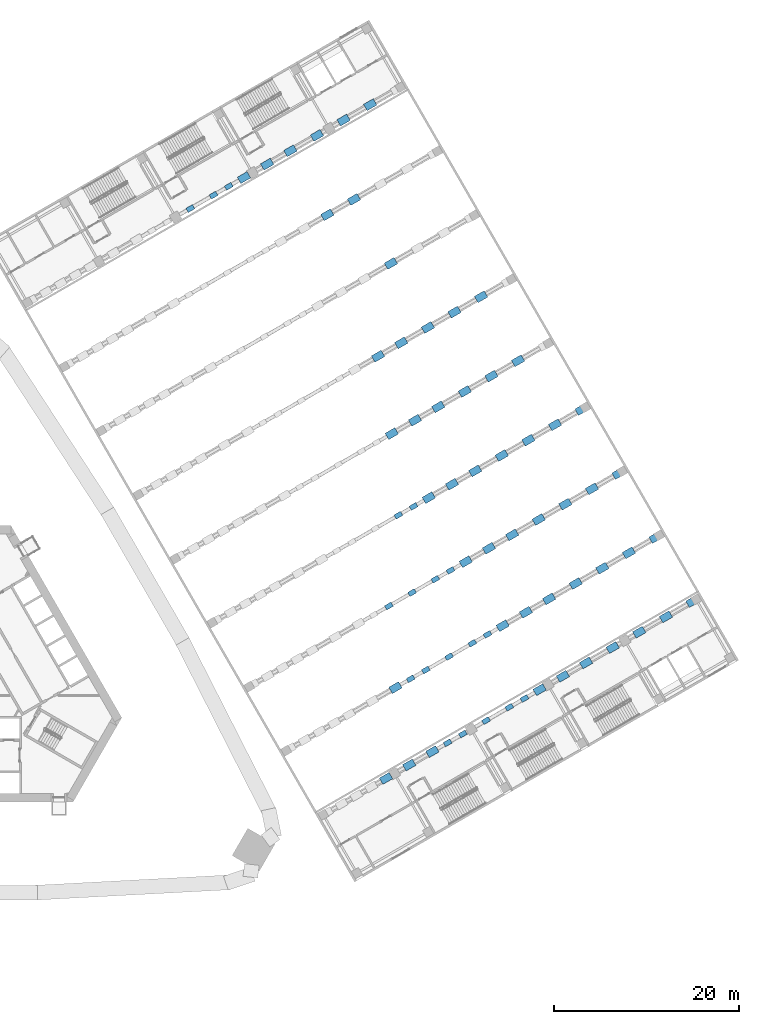
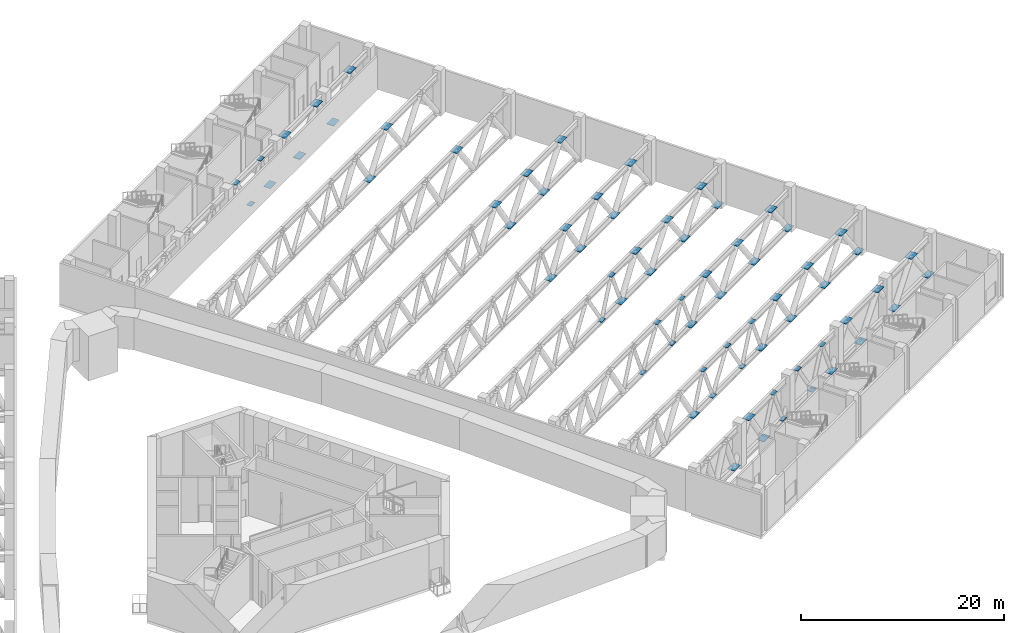
# One storey, part 30 of 37: 71 discrete accessories.
"""IFC4 building model written with IfcOpenShell, lengths in metres."""

from ifc_helpers import new_model, si_unit, direction, frame, origin, place, context, subcontext, project, spatial, polyline, outline, extrude, material, layer, layer_set, type_object, element, save


model = new_model("IFC4")

# Units and contexts
model_context = context("Model", 3, precision=1e-05, world=origin(), true_north=direction((0.0, 1.0)))
body_context = subcontext(model_context, "Body", "Model", "MODEL_VIEW")
ifc_project = project(units=[si_unit("LENGTHUNIT", "METRE"), si_unit("AREAUNIT", "SQUARE_METRE"), si_unit("VOLUMEUNIT", "CUBIC_METRE"), si_unit("PLANEANGLEUNIT", "RADIAN"), si_unit("MASSUNIT", "GRAM", prefix="KILO")], contexts=[model_context])

# Site, building, storey
site_placement = place(None, origin())
site = spatial("IfcSite", under=ifc_project, at=site_placement, CompositionType="ELEMENT")
building_placement = place(site_placement, origin())
building = spatial("IfcBuilding", under=site, at=building_placement, Name="Mestral Congress Tower", CompositionType="ELEMENT")
storey_placement = place(building_placement, frame((0.0, 0.0, 16.199951171875)))
storey = spatial("IfcBuildingStorey", under=building, at=storey_placement, Name="L03", CompositionType="ELEMENT", Elevation=16.199951171875)

# Discrete accessories
ifc_material = material(Name="Steel S355", Category="steel")
ifc_layer_1 = layer(ifc_material, 0.02490234375)
ifc_layer_set_1 = layer_set([ifc_layer_1], Name="Steel S355")
discrete_accessory_type_1 = type_object("IfcDiscreteAccessoryType", Name="Brace end gusset plate 25 S355", PredefinedType="BRACKET", material=ifc_layer_set_1)
placement_1 = place(storey_placement, frame((0.0, 0.0, 4.6875)))
element("IfcDiscreteAccessory", 1, at=placement_1, inside=storey, type_object=discrete_accessory_type_1, Name="Brace end gusset plate 25 S355", PredefinedType="BRACKET", context=body_context, shape_type="SweptSolid", body=[
    extrude(outline(polyline([(24.904052734375, 51.6337890625), (24.2001953125, 51.227294921875), (24.464111328125, 50.769775390625), (25.168212890625, 51.17626953125), (24.904052734375, 51.6337890625)])), origin(), (0.0, 0.0, 1.0), 0.025146484375),
])
placement_2 = place(storey_placement, frame((0.0, 0.0, 0.387451171875)))
element("IfcDiscreteAccessory", 2, at=placement_2, inside=storey, type_object=discrete_accessory_type_1, Name="Brace end gusset plate 25 S355", PredefinedType="BRACKET", context=body_context, shape_type="SweptSolid", body=[
    extrude(outline(polyline([(27.41552734375, 53.083740234375), (26.711669921875, 52.677490234375), (26.9755859375, 52.2197265625), (27.6796875, 52.626220703125), (27.41552734375, 53.083740234375)])), origin(), (0.0, 0.0, 1.0), 0.025146484375),
])
element("IfcDiscreteAccessory", 3, at=placement_1, inside=storey, type_object=discrete_accessory_type_1, Name="Brace end gusset plate 25 S355", PredefinedType="BRACKET", context=body_context, shape_type="SweptSolid", body=[
    extrude(outline(polyline([(29.06103515625, 54.03369140625), (28.357177734375, 53.62744140625), (28.62109375, 53.169921875), (29.3251953125, 53.576171875), (29.06103515625, 54.03369140625)])), origin(), (0.0, 0.0, 1.0), 0.025146484375),
])
element("IfcDiscreteAccessory", 4, at=placement_2, inside=storey, type_object=discrete_accessory_type_1, Name="Brace end gusset plate 25 S355", PredefinedType="BRACKET", context=body_context, shape_type="SweptSolid", body=[
    extrude(outline(polyline([(46.392578125, 8.614501953125), (45.688720703125, 8.208251953125), (45.952880859375, 7.75048828125), (46.65673828125, 8.156982421875), (46.392578125, 8.614501953125)])), origin(), (0.0, 0.0, 1.0), 0.025146484375),
])
element("IfcDiscreteAccessory", 5, at=placement_2, inside=storey, type_object=discrete_accessory_type_1, Name="Brace end gusset plate 25 S355", PredefinedType="BRACKET", context=body_context, shape_type="SweptSolid", body=[
    extrude(outline(polyline([(47.41552734375, 18.44287109375), (46.711669921875, 18.036376953125), (46.9755859375, 17.578857421875), (47.6796875, 17.985107421875), (47.41552734375, 18.44287109375)])), origin(), (0.0, 0.0, 1.0), 0.025146484375),
])
element("IfcDiscreteAccessory", 6, at=placement_1, inside=storey, type_object=discrete_accessory_type_1, Name="Brace end gusset plate 25 S355", PredefinedType="BRACKET", context=body_context, shape_type="SweptSolid", body=[
    extrude(outline(polyline([(48.7470703125, 0.736328125), (48.043212890625, 0.330078125), (48.307373046875, -0.127685546875), (49.01123046875, 0.27880859375), (48.7470703125, 0.736328125)])), origin(), (0.0, 0.0, 1.0), 0.025146484375),
])
element("IfcDiscreteAccessory", 7, at=placement_1, inside=storey, type_object=discrete_accessory_type_1, Name="Brace end gusset plate 25 S355", PredefinedType="BRACKET", context=body_context, shape_type="SweptSolid", body=[
    extrude(outline(polyline([(48.904052734375, 10.064697265625), (48.2001953125, 9.658203125), (48.464111328125, 9.20068359375), (49.168212890625, 9.60693359375), (48.904052734375, 10.064697265625)])), origin(), (0.0, 0.0, 1.0), 0.025146484375),
])
element("IfcDiscreteAccessory", 8, at=placement_1, inside=storey, type_object=discrete_accessory_type_1, Name="Brace end gusset plate 25 S355", PredefinedType="BRACKET", context=body_context, shape_type="SweptSolid", body=[
    extrude(outline(polyline([(49.06103515625, 19.392822265625), (48.357177734375, 18.986328125), (48.62109375, 18.52880859375), (49.3251953125, 18.935302734375), (49.06103515625, 19.392822265625)])), origin(), (0.0, 0.0, 1.0), 0.025146484375),
])
element("IfcDiscreteAccessory", 9, at=placement_2, inside=storey, type_object=discrete_accessory_type_1, Name="Brace end gusset plate 25 S355", PredefinedType="BRACKET", context=body_context, shape_type="SweptSolid", body=[
    extrude(outline(polyline([(50.392578125, 1.686279296875), (49.688720703125, 1.280029296875), (49.952880859375, 0.822509765625), (50.65673828125, 1.228759765625), (50.392578125, 1.686279296875)])), origin(), (0.0, 0.0, 1.0), 0.025146484375),
])
element("IfcDiscreteAccessory", 10, at=placement_2, inside=storey, type_object=discrete_accessory_type_1, Name="Brace end gusset plate 25 S355", PredefinedType="BRACKET", context=body_context, shape_type="SweptSolid", body=[
    extrude(outline(polyline([(51.41552734375, 11.5146484375), (50.711669921875, 11.108154296875), (50.9755859375, 10.650634765625), (51.6796875, 11.056884765625), (51.41552734375, 11.5146484375)])), origin(), (0.0, 0.0, 1.0), 0.025146484375),
])
element("IfcDiscreteAccessory", 11, at=placement_1, inside=storey, type_object=discrete_accessory_type_1, Name="Brace end gusset plate 25 S355", PredefinedType="BRACKET", context=body_context, shape_type="SweptSolid", body=[
    extrude(outline(polyline([(52.7470703125, -6.19189453125), (52.043212890625, -6.59814453125), (52.307373046875, -7.055908203125), (53.01123046875, -6.6494140625), (52.7470703125, -6.19189453125)])), origin(), (0.0, 0.0, 1.0), 0.025146484375),
])
element("IfcDiscreteAccessory", 12, at=placement_1, inside=storey, type_object=discrete_accessory_type_1, Name="Brace end gusset plate 25 S355", PredefinedType="BRACKET", context=body_context, shape_type="SweptSolid", body=[
    extrude(outline(polyline([(52.904052734375, 3.136474609375), (52.2001953125, 2.72998046875), (52.464111328125, 2.2724609375), (53.168212890625, 2.6787109375), (52.904052734375, 3.136474609375)])), origin(), (0.0, 0.0, 1.0), 0.025146484375),
])
element("IfcDiscreteAccessory", 13, at=placement_1, inside=storey, type_object=discrete_accessory_type_1, Name="Brace end gusset plate 25 S355", PredefinedType="BRACKET", context=body_context, shape_type="SweptSolid", body=[
    extrude(outline(polyline([(53.06103515625, 12.464599609375), (52.357177734375, 12.05810546875), (52.62109375, 11.6005859375), (53.3251953125, 12.007080078125), (53.06103515625, 12.464599609375)])), origin(), (0.0, 0.0, 1.0), 0.025146484375),
])
element("IfcDiscreteAccessory", 14, at=placement_2, inside=storey, type_object=discrete_accessory_type_1, Name="Brace end gusset plate 25 S355", PredefinedType="BRACKET", context=body_context, shape_type="SweptSolid", body=[
    extrude(outline(polyline([(54.392578125, -5.24169921875), (53.688720703125, -5.648193359375), (53.952880859375, -6.105712890625), (54.65673828125, -5.699462890625), (54.392578125, -5.24169921875)])), origin(), (0.0, 0.0, 1.0), 0.025146484375),
])
element("IfcDiscreteAccessory", 15, at=placement_2, inside=storey, type_object=discrete_accessory_type_1, Name="Brace end gusset plate 25 S355", PredefinedType="BRACKET", context=body_context, shape_type="SweptSolid", body=[
    extrude(outline(polyline([(55.41552734375, 4.58642578125), (54.711669921875, 4.179931640625), (54.9755859375, 3.722412109375), (55.6796875, 4.12890625), (55.41552734375, 4.58642578125)])), origin(), (0.0, 0.0, 1.0), 0.025146484375),
])
element("IfcDiscreteAccessory", 16, at=placement_1, inside=storey, type_object=discrete_accessory_type_1, Name="Brace end gusset plate 25 S355", PredefinedType="BRACKET", context=body_context, shape_type="SweptSolid", body=[
    extrude(outline(polyline([(56.904052734375, -3.791748046875), (56.2001953125, -4.1982421875), (56.464111328125, -4.65576171875), (57.168212890625, -4.24951171875), (56.904052734375, -3.791748046875)])), origin(), (0.0, 0.0, 1.0), 0.025146484375),
])
element("IfcDiscreteAccessory", 17, at=placement_1, inside=storey, type_object=discrete_accessory_type_1, Name="Brace end gusset plate 25 S355", PredefinedType="BRACKET", context=body_context, shape_type="SweptSolid", body=[
    extrude(outline(polyline([(57.06103515625, 5.536376953125), (56.357177734375, 5.1298828125), (56.62109375, 4.67236328125), (57.3251953125, 5.078857421875), (57.06103515625, 5.536376953125)])), origin(), (0.0, 0.0, 1.0), 0.025146484375),
])
element("IfcDiscreteAccessory", 18, at=placement_2, inside=storey, type_object=discrete_accessory_type_1, Name="Brace end gusset plate 25 S355", PredefinedType="BRACKET", context=body_context, shape_type="SweptSolid", body=[
    extrude(outline(polyline([(59.41552734375, -2.341796875), (58.711669921875, -2.748291015625), (58.9755859375, -3.205810546875), (59.6796875, -2.79931640625), (59.41552734375, -2.341796875)])), origin(), (0.0, 0.0, 1.0), 0.025146484375),
])
element("IfcDiscreteAccessory", 19, at=placement_1, inside=storey, type_object=discrete_accessory_type_1, Name="Brace end gusset plate 25 S355", PredefinedType="BRACKET", context=body_context, shape_type="SweptSolid", body=[
    extrude(outline(polyline([(61.06103515625, -1.391845703125), (60.357177734375, -1.798095703125), (60.62109375, -2.255859375), (61.3251953125, -1.849365234375), (61.06103515625, -1.391845703125)])), origin(), (0.0, 0.0, 1.0), 0.025146484375),
])
ifc_layer_2 = layer(ifc_material, 0.034912109375)
ifc_layer_set_2 = layer_set([ifc_layer_2], Name="Steel S355")
discrete_accessory_type_2 = type_object("IfcDiscreteAccessoryType", Name="Brace end gusset plate 35 S355", PredefinedType="BRACKET", material=ifc_layer_set_2)
placement_3 = place(storey_placement, frame((0.0, 0.0, 0.382568359375)))
element("IfcDiscreteAccessory", 20, at=placement_3, inside=storey, type_object=discrete_accessory_type_2, Name="Brace end gusset plate 35 S355", PredefinedType="BRACKET", context=body_context, shape_type="SweptSolid", body=[
    extrude(outline(polyline([(30.156494140625, 53.9033203125), (31.212890625, 54.513427734375), (30.81640625, 55.2001953125), (29.760009765625, 54.590087890625), (30.156494140625, 53.9033203125)])), origin(), (0.0, 0.0, 1.0), 0.034912109375),
])
placement_4 = place(storey_placement, frame((0.0, 0.0, 4.6826171875)))
element("IfcDiscreteAccessory", 21, at=placement_4, inside=storey, type_object=discrete_accessory_type_2, Name="Brace end gusset plate 35 S355", PredefinedType="BRACKET", context=body_context, shape_type="SweptSolid", body=[
    extrude(outline(polyline([(33.327880859375, 56.650146484375), (32.271484375, 56.040283203125), (32.66796875, 55.353515625), (33.724609375, 55.96337890625), (33.327880859375, 56.650146484375)])), origin(), (0.0, 0.0, 1.0), 0.034912109375),
])
element("IfcDiscreteAccessory", 22, at=placement_3, inside=storey, type_object=discrete_accessory_type_2, Name="Brace end gusset plate 35 S355", PredefinedType="BRACKET", context=body_context, shape_type="SweptSolid", body=[
    extrude(outline(polyline([(35.839599609375, 58.10009765625), (34.782958984375, 57.490234375), (35.179443359375, 56.803466796875), (36.236083984375, 57.413330078125), (35.839599609375, 58.10009765625)])), origin(), (0.0, 0.0, 1.0), 0.034912109375),
])
element("IfcDiscreteAccessory", 23, at=placement_4, inside=storey, type_object=discrete_accessory_type_2, Name="Brace end gusset plate 35 S355", PredefinedType="BRACKET", context=body_context, shape_type="SweptSolid", body=[
    extrude(outline(polyline([(38.718994140625, 59.7626953125), (37.66259765625, 59.152587890625), (38.05908203125, 58.4658203125), (39.115478515625, 59.075927734375), (38.718994140625, 59.7626953125)])), origin(), (0.0, 0.0, 1.0), 0.034912109375),
])
element("IfcDiscreteAccessory", 24, at=placement_3, inside=storey, type_object=discrete_accessory_type_2, Name="Brace end gusset plate 35 S355", PredefinedType="BRACKET", context=body_context, shape_type="SweptSolid", body=[
    extrude(outline(polyline([(39.839599609375, 51.172119140625), (38.782958984375, 50.56201171875), (39.179443359375, 49.875244140625), (40.236083984375, 50.485107421875), (39.839599609375, 51.172119140625)])), origin(), (0.0, 0.0, 1.0), 0.034912109375),
])
element("IfcDiscreteAccessory", 25, at=placement_3, inside=storey, type_object=discrete_accessory_type_2, Name="Brace end gusset plate 35 S355", PredefinedType="BRACKET", context=body_context, shape_type="SweptSolid", body=[
    extrude(outline(polyline([(41.598388671875, 61.42529296875), (40.5419921875, 60.815185546875), (40.9384765625, 60.12841796875), (41.9951171875, 60.73828125), (41.598388671875, 61.42529296875)])), origin(), (0.0, 0.0, 1.0), 0.034912109375),
])
element("IfcDiscreteAccessory", 26, at=placement_4, inside=storey, type_object=discrete_accessory_type_2, Name="Brace end gusset plate 35 S355", PredefinedType="BRACKET", context=body_context, shape_type="SweptSolid", body=[
    extrude(outline(polyline([(42.718994140625, 52.83447265625), (41.66259765625, 52.224609375), (42.05908203125, 51.53759765625), (43.115478515625, 52.147705078125), (42.718994140625, 52.83447265625)])), origin(), (0.0, 0.0, 1.0), 0.034912109375),
])
element("IfcDiscreteAccessory", 27, at=placement_4, inside=storey, type_object=discrete_accessory_type_2, Name="Brace end gusset plate 35 S355", PredefinedType="BRACKET", context=body_context, shape_type="SweptSolid", body=[
    extrude(outline(polyline([(44.47802734375, 63.087646484375), (43.421630859375, 62.477783203125), (43.818115234375, 61.791015625), (44.87451171875, 62.40087890625), (44.47802734375, 63.087646484375)])), origin(), (0.0, 0.0, 1.0), 0.034912109375),
])
element("IfcDiscreteAccessory", 28, at=placement_4, inside=storey, type_object=discrete_accessory_type_2, Name="Brace end gusset plate 35 S355", PredefinedType="BRACKET", context=body_context, shape_type="SweptSolid", body=[
    extrude(outline(polyline([(45.327880859375, 35.865478515625), (44.271484375, 35.255615234375), (44.66796875, 34.56884765625), (45.724609375, 35.1787109375), (45.327880859375, 35.865478515625)])), origin(), (0.0, 0.0, 1.0), 0.034912109375),
])
element("IfcDiscreteAccessory", 29, at=placement_3, inside=storey, type_object=discrete_accessory_type_2, Name="Brace end gusset plate 35 S355", PredefinedType="BRACKET", context=body_context, shape_type="SweptSolid", body=[
    extrude(outline(polyline([(46.188720703125, -9.825439453125), (45.13232421875, -10.435302734375), (45.52880859375, -11.122314453125), (46.585205078125, -10.51220703125), (46.188720703125, -9.825439453125)])), origin(), (0.0, 0.0, 1.0), 0.034912109375),
])
element("IfcDiscreteAccessory", 30, at=placement_4, inside=storey, type_object=discrete_accessory_type_2, Name="Brace end gusset plate 35 S355", PredefinedType="BRACKET", context=body_context, shape_type="SweptSolid", body=[
    extrude(outline(polyline([(46.718994140625, 45.90625), (45.66259765625, 45.29638671875), (46.05908203125, 44.609619140625), (47.115478515625, 45.219482421875), (46.718994140625, 45.90625)])), origin(), (0.0, 0.0, 1.0), 0.034912109375),
])
element("IfcDiscreteAccessory", 31, at=placement_3, inside=storey, type_object=discrete_accessory_type_2, Name="Brace end gusset plate 35 S355", PredefinedType="BRACKET", context=body_context, shape_type="SweptSolid", body=[
    extrude(outline(polyline([(46.156494140625, 26.190673828125), (47.212890625, 26.800537109375), (46.81640625, 27.4873046875), (45.760009765625, 26.87744140625), (46.156494140625, 26.190673828125)])), origin(), (0.0, 0.0, 1.0), 0.034912109375),
])
element("IfcDiscreteAccessory", 32, at=placement_3, inside=storey, type_object=discrete_accessory_type_2, Name="Brace end gusset plate 35 S355", PredefinedType="BRACKET", context=body_context, shape_type="SweptSolid", body=[
    extrude(outline(polyline([(47.2119140625, 0.002685546875), (46.1552734375, -0.607177734375), (46.5517578125, -1.2939453125), (47.6083984375, -0.68408203125), (47.2119140625, 0.002685546875)])), origin(), (0.0, 0.0, 1.0), 0.034912109375),
])
element("IfcDiscreteAccessory", 33, at=placement_3, inside=storey, type_object=discrete_accessory_type_2, Name="Brace end gusset plate 35 S355", PredefinedType="BRACKET", context=body_context, shape_type="SweptSolid", body=[
    extrude(outline(polyline([(47.839599609375, 37.315673828125), (46.782958984375, 36.70556640625), (47.179443359375, 36.018798828125), (48.236083984375, 36.62890625), (47.839599609375, 37.315673828125)])), origin(), (0.0, 0.0, 1.0), 0.034912109375),
])
element("IfcDiscreteAccessory", 34, at=placement_4, inside=storey, type_object=discrete_accessory_type_2, Name="Brace end gusset plate 35 S355", PredefinedType="BRACKET", context=body_context, shape_type="SweptSolid", body=[
    extrude(outline(polyline([(48.7001953125, -8.37548828125), (47.643798828125, -8.9853515625), (48.040283203125, -9.672119140625), (49.0966796875, -9.062255859375), (48.7001953125, -8.37548828125)])), origin(), (0.0, 0.0, 1.0), 0.034912109375),
])
element("IfcDiscreteAccessory", 35, at=placement_4, inside=storey, type_object=discrete_accessory_type_2, Name="Brace end gusset plate 35 S355", PredefinedType="BRACKET", context=body_context, shape_type="SweptSolid", body=[
    extrude(outline(polyline([(49.327880859375, 28.9375), (48.271484375, 28.327392578125), (48.66796875, 27.640625), (49.724609375, 28.25048828125), (49.327880859375, 28.9375)])), origin(), (0.0, 0.0, 1.0), 0.034912109375),
])
element("IfcDiscreteAccessory", 36, at=placement_4, inside=storey, type_object=discrete_accessory_type_2, Name="Brace end gusset plate 35 S355", PredefinedType="BRACKET", context=body_context, shape_type="SweptSolid", body=[
    extrude(outline(polyline([(50.718994140625, 38.97802734375), (49.66259765625, 38.3681640625), (50.05908203125, 37.681396484375), (51.115478515625, 38.291259765625), (50.718994140625, 38.97802734375)])), origin(), (0.0, 0.0, 1.0), 0.034912109375),
])
element("IfcDiscreteAccessory", 37, at=placement_3, inside=storey, type_object=discrete_accessory_type_2, Name="Brace end gusset plate 35 S355", PredefinedType="BRACKET", context=body_context, shape_type="SweptSolid", body=[
    extrude(outline(polyline([(50.156494140625, 19.262451171875), (51.212890625, 19.872314453125), (50.81640625, 20.55908203125), (49.760009765625, 19.94921875), (50.156494140625, 19.262451171875)])), origin(), (0.0, 0.0, 1.0), 0.034912109375),
])
element("IfcDiscreteAccessory", 38, at=placement_3, inside=storey, type_object=discrete_accessory_type_2, Name="Brace end gusset plate 35 S355", PredefinedType="BRACKET", context=body_context, shape_type="SweptSolid", body=[
    extrude(outline(polyline([(51.2119140625, -6.92529296875), (50.1552734375, -7.535400390625), (50.5517578125, -8.22216796875), (51.6083984375, -7.6123046875), (51.2119140625, -6.92529296875)])), origin(), (0.0, 0.0, 1.0), 0.034912109375),
])
element("IfcDiscreteAccessory", 39, at=placement_3, inside=storey, type_object=discrete_accessory_type_2, Name="Brace end gusset plate 35 S355", PredefinedType="BRACKET", context=body_context, shape_type="SweptSolid", body=[
    extrude(outline(polyline([(51.839599609375, 30.387451171875), (50.782958984375, 29.77734375), (51.179443359375, 29.090576171875), (52.236083984375, 29.70068359375), (51.839599609375, 30.387451171875)])), origin(), (0.0, 0.0, 1.0), 0.034912109375),
])
element("IfcDiscreteAccessory", 40, at=placement_4, inside=storey, type_object=discrete_accessory_type_2, Name="Brace end gusset plate 35 S355", PredefinedType="BRACKET", context=body_context, shape_type="SweptSolid", body=[
    extrude(outline(polyline([(53.327880859375, 22.00927734375), (52.271484375, 21.399169921875), (52.66796875, 20.71240234375), (53.724609375, 21.322509765625), (53.327880859375, 22.00927734375)])), origin(), (0.0, 0.0, 1.0), 0.034912109375),
])
element("IfcDiscreteAccessory", 41, at=placement_3, inside=storey, type_object=discrete_accessory_type_2, Name="Brace end gusset plate 35 S355", PredefinedType="BRACKET", context=body_context, shape_type="SweptSolid", body=[
    extrude(outline(polyline([(53.598388671875, 40.640625), (52.5419921875, 40.030517578125), (52.9384765625, 39.34375), (53.9951171875, 39.953857421875), (53.598388671875, 40.640625)])), origin(), (0.0, 0.0, 1.0), 0.034912109375),
])
element("IfcDiscreteAccessory", 42, at=placement_4, inside=storey, type_object=discrete_accessory_type_2, Name="Brace end gusset plate 35 S355", PredefinedType="BRACKET", context=body_context, shape_type="SweptSolid", body=[
    extrude(outline(polyline([(54.718994140625, 32.0498046875), (53.66259765625, 31.43994140625), (54.05908203125, 30.753173828125), (55.115478515625, 31.363037109375), (54.718994140625, 32.0498046875)])), origin(), (0.0, 0.0, 1.0), 0.034912109375),
])
element("IfcDiscreteAccessory", 43, at=placement_3, inside=storey, type_object=discrete_accessory_type_2, Name="Brace end gusset plate 35 S355", PredefinedType="BRACKET", context=body_context, shape_type="SweptSolid", body=[
    extrude(outline(polyline([(54.156494140625, 12.334228515625), (55.212890625, 12.944091796875), (54.81640625, 13.631103515625), (53.760009765625, 13.02099609375), (54.156494140625, 12.334228515625)])), origin(), (0.0, 0.0, 1.0), 0.034912109375),
])
element("IfcDiscreteAccessory", 44, at=placement_3, inside=storey, type_object=discrete_accessory_type_2, Name="Brace end gusset plate 35 S355", PredefinedType="BRACKET", context=body_context, shape_type="SweptSolid", body=[
    extrude(outline(polyline([(55.839599609375, 23.459228515625), (54.782958984375, 22.84912109375), (55.179443359375, 22.162353515625), (56.236083984375, 22.7724609375), (55.839599609375, 23.459228515625)])), origin(), (0.0, 0.0, 1.0), 0.034912109375),
])
element("IfcDiscreteAccessory", 45, at=placement_4, inside=storey, type_object=discrete_accessory_type_2, Name="Brace end gusset plate 35 S355", PredefinedType="BRACKET", context=body_context, shape_type="SweptSolid", body=[
    extrude(outline(polyline([(56.47802734375, 42.302978515625), (55.421630859375, 41.693115234375), (55.818115234375, 41.00634765625), (56.87451171875, 41.6162109375), (56.47802734375, 42.302978515625)])), origin(), (0.0, 0.0, 1.0), 0.034912109375),
])
element("IfcDiscreteAccessory", 46, at=placement_4, inside=storey, type_object=discrete_accessory_type_2, Name="Brace end gusset plate 35 S355", PredefinedType="BRACKET", context=body_context, shape_type="SweptSolid", body=[
    extrude(outline(polyline([(57.327880859375, 15.0810546875), (56.271484375, 14.470947265625), (56.66796875, 13.7841796875), (57.724609375, 14.394287109375), (57.327880859375, 15.0810546875)])), origin(), (0.0, 0.0, 1.0), 0.034912109375),
])
element("IfcDiscreteAccessory", 47, at=placement_3, inside=storey, type_object=discrete_accessory_type_2, Name="Brace end gusset plate 35 S355", PredefinedType="BRACKET", context=body_context, shape_type="SweptSolid", body=[
    extrude(outline(polyline([(57.598388671875, 33.71240234375), (56.5419921875, 33.102294921875), (56.9384765625, 32.41552734375), (57.9951171875, 33.025634765625), (57.598388671875, 33.71240234375)])), origin(), (0.0, 0.0, 1.0), 0.034912109375),
])
element("IfcDiscreteAccessory", 48, at=placement_4, inside=storey, type_object=discrete_accessory_type_2, Name="Brace end gusset plate 35 S355", PredefinedType="BRACKET", context=body_context, shape_type="SweptSolid", body=[
    extrude(outline(polyline([(58.718994140625, 25.12158203125), (57.66259765625, 24.51171875), (58.05908203125, 23.824951171875), (59.115478515625, 24.434814453125), (58.718994140625, 25.12158203125)])), origin(), (0.0, 0.0, 1.0), 0.034912109375),
])
element("IfcDiscreteAccessory", 49, at=placement_3, inside=storey, type_object=discrete_accessory_type_2, Name="Brace end gusset plate 35 S355", PredefinedType="BRACKET", context=body_context, shape_type="SweptSolid", body=[
    extrude(outline(polyline([(58.156494140625, 5.406005859375), (59.212890625, 6.01611328125), (58.81640625, 6.702880859375), (57.760009765625, 6.0927734375), (58.156494140625, 5.406005859375)])), origin(), (0.0, 0.0, 1.0), 0.034912109375),
])
element("IfcDiscreteAccessory", 50, at=placement_3, inside=storey, type_object=discrete_accessory_type_2, Name="Brace end gusset plate 35 S355", PredefinedType="BRACKET", context=body_context, shape_type="SweptSolid", body=[
    extrude(outline(polyline([(59.839599609375, 16.531005859375), (58.782958984375, 15.9208984375), (59.179443359375, 15.234130859375), (60.236083984375, 15.84423828125), (59.839599609375, 16.531005859375)])), origin(), (0.0, 0.0, 1.0), 0.034912109375),
])
element("IfcDiscreteAccessory", 51, at=placement_4, inside=storey, type_object=discrete_accessory_type_2, Name="Brace end gusset plate 35 S355", PredefinedType="BRACKET", context=body_context, shape_type="SweptSolid", body=[
    extrude(outline(polyline([(60.47802734375, 35.375), (59.421630859375, 34.764892578125), (59.818115234375, 34.078125), (60.87451171875, 34.68798828125), (60.47802734375, 35.375)])), origin(), (0.0, 0.0, 1.0), 0.034912109375),
])
element("IfcDiscreteAccessory", 52, at=placement_4, inside=storey, type_object=discrete_accessory_type_2, Name="Brace end gusset plate 35 S355", PredefinedType="BRACKET", context=body_context, shape_type="SweptSolid", body=[
    extrude(outline(polyline([(61.327880859375, 8.15283203125), (60.271484375, 7.542724609375), (60.66796875, 6.85595703125), (61.724609375, 7.466064453125), (61.327880859375, 8.15283203125)])), origin(), (0.0, 0.0, 1.0), 0.034912109375),
])
element("IfcDiscreteAccessory", 53, at=placement_3, inside=storey, type_object=discrete_accessory_type_2, Name="Brace end gusset plate 35 S355", PredefinedType="BRACKET", context=body_context, shape_type="SweptSolid", body=[
    extrude(outline(polyline([(61.598388671875, 26.7841796875), (60.5419921875, 26.17431640625), (60.9384765625, 25.4873046875), (61.9951171875, 26.097412109375), (61.598388671875, 26.7841796875)])), origin(), (0.0, 0.0, 1.0), 0.034912109375),
])
element("IfcDiscreteAccessory", 54, at=placement_4, inside=storey, type_object=discrete_accessory_type_2, Name="Brace end gusset plate 35 S355", PredefinedType="BRACKET", context=body_context, shape_type="SweptSolid", body=[
    extrude(outline(polyline([(62.718994140625, 18.193603515625), (61.66259765625, 17.58349609375), (62.05908203125, 16.896728515625), (63.115478515625, 17.506591796875), (62.718994140625, 18.193603515625)])), origin(), (0.0, 0.0, 1.0), 0.034912109375),
])
element("IfcDiscreteAccessory", 55, at=placement_3, inside=storey, type_object=discrete_accessory_type_2, Name="Brace end gusset plate 35 S355", PredefinedType="BRACKET", context=body_context, shape_type="SweptSolid", body=[
    extrude(outline(polyline([(62.156494140625, -1.522216796875), (63.212890625, -0.912109375), (62.81640625, -0.225341796875), (61.760009765625, -0.83544921875), (62.156494140625, -1.522216796875)])), origin(), (0.0, 0.0, 1.0), 0.034912109375),
])
element("IfcDiscreteAccessory", 56, at=placement_3, inside=storey, type_object=discrete_accessory_type_2, Name="Brace end gusset plate 35 S355", PredefinedType="BRACKET", context=body_context, shape_type="SweptSolid", body=[
    extrude(outline(polyline([(63.839599609375, 9.602783203125), (62.782958984375, 8.992919921875), (63.179443359375, 8.305908203125), (64.236083984375, 8.916015625), (63.839599609375, 9.602783203125)])), origin(), (0.0, 0.0, 1.0), 0.034912109375),
])
element("IfcDiscreteAccessory", 57, at=placement_4, inside=storey, type_object=discrete_accessory_type_2, Name="Brace end gusset plate 35 S355", PredefinedType="BRACKET", context=body_context, shape_type="SweptSolid", body=[
    extrude(outline(polyline([(64.47802734375, 28.44677734375), (63.421630859375, 27.836669921875), (63.818115234375, 27.14990234375), (64.87451171875, 27.760009765625), (64.47802734375, 28.44677734375)])), origin(), (0.0, 0.0, 1.0), 0.034912109375),
])
element("IfcDiscreteAccessory", 58, at=placement_4, inside=storey, type_object=discrete_accessory_type_2, Name="Brace end gusset plate 35 S355", PredefinedType="BRACKET", context=body_context, shape_type="SweptSolid", body=[
    extrude(outline(polyline([(65.327880859375, 1.224609375), (64.271484375, 0.614501953125), (64.66796875, -0.072265625), (65.724609375, 0.537841796875), (65.327880859375, 1.224609375)])), origin(), (0.0, 0.0, 1.0), 0.034912109375),
])
element("IfcDiscreteAccessory", 59, at=placement_3, inside=storey, type_object=discrete_accessory_type_2, Name="Brace end gusset plate 35 S355", PredefinedType="BRACKET", context=body_context, shape_type="SweptSolid", body=[
    extrude(outline(polyline([(65.598388671875, 19.85595703125), (64.5419921875, 19.24609375), (64.9384765625, 18.55908203125), (65.9951171875, 19.169189453125), (65.598388671875, 19.85595703125)])), origin(), (0.0, 0.0, 1.0), 0.034912109375),
])
element("IfcDiscreteAccessory", 60, at=placement_4, inside=storey, type_object=discrete_accessory_type_2, Name="Brace end gusset plate 35 S355", PredefinedType="BRACKET", context=body_context, shape_type="SweptSolid", body=[
    extrude(outline(polyline([(66.718994140625, 11.265380859375), (65.66259765625, 10.6552734375), (66.05908203125, 9.968505859375), (67.115478515625, 10.57861328125), (66.718994140625, 11.265380859375)])), origin(), (0.0, 0.0, 1.0), 0.034912109375),
])
element("IfcDiscreteAccessory", 61, at=placement_3, inside=storey, type_object=discrete_accessory_type_2, Name="Brace end gusset plate 35 S355", PredefinedType="BRACKET", context=body_context, shape_type="SweptSolid", body=[
    extrude(outline(polyline([(67.357666015625, 30.109130859375), (66.301025390625, 29.499267578125), (66.697509765625, 28.8125), (67.754150390625, 29.42236328125), (67.357666015625, 30.109130859375)])), origin(), (0.0, 0.0, 1.0), 0.034912109375),
])
element("IfcDiscreteAccessory", 62, at=placement_3, inside=storey, type_object=discrete_accessory_type_2, Name="Brace end gusset plate 35 S355", PredefinedType="BRACKET", context=body_context, shape_type="SweptSolid", body=[
    extrude(outline(polyline([(67.839599609375, 2.674560546875), (66.782958984375, 2.064697265625), (67.179443359375, 1.377685546875), (68.236083984375, 1.98779296875), (67.839599609375, 2.674560546875)])), origin(), (0.0, 0.0, 1.0), 0.034912109375),
])
element("IfcDiscreteAccessory", 63, at=placement_4, inside=storey, type_object=discrete_accessory_type_2, Name="Brace end gusset plate 35 S355", PredefinedType="BRACKET", context=body_context, shape_type="SweptSolid", body=[
    extrude(outline(polyline([(68.47802734375, 21.5185546875), (67.421630859375, 20.908447265625), (67.818115234375, 20.2216796875), (68.87451171875, 20.831787109375), (68.47802734375, 21.5185546875)])), origin(), (0.0, 0.0, 1.0), 0.034912109375),
])
element("IfcDiscreteAccessory", 64, at=placement_3, inside=storey, type_object=discrete_accessory_type_2, Name="Brace end gusset plate 35 S355", PredefinedType="BRACKET", context=body_context, shape_type="SweptSolid", body=[
    extrude(outline(polyline([(69.598388671875, 12.927734375), (68.5419921875, 12.31787109375), (68.9384765625, 11.631103515625), (69.9951171875, 12.240966796875), (69.598388671875, 12.927734375)])), origin(), (0.0, 0.0, 1.0), 0.034912109375),
])
element("IfcDiscreteAccessory", 65, at=placement_4, inside=storey, type_object=discrete_accessory_type_2, Name="Brace end gusset plate 35 S355", PredefinedType="BRACKET", context=body_context, shape_type="SweptSolid", body=[
    extrude(outline(polyline([(70.718994140625, 4.337158203125), (69.66259765625, 3.72705078125), (70.05908203125, 3.040283203125), (71.115478515625, 3.650390625), (70.718994140625, 4.337158203125)])), origin(), (0.0, 0.0, 1.0), 0.034912109375),
])
element("IfcDiscreteAccessory", 66, at=placement_3, inside=storey, type_object=discrete_accessory_type_2, Name="Brace end gusset plate 35 S355", PredefinedType="BRACKET", context=body_context, shape_type="SweptSolid", body=[
    extrude(outline(polyline([(71.357666015625, 23.180908203125), (70.301025390625, 22.571044921875), (70.697509765625, 21.88427734375), (71.754150390625, 22.494140625), (71.357666015625, 23.180908203125)])), origin(), (0.0, 0.0, 1.0), 0.034912109375),
])
element("IfcDiscreteAccessory", 67, at=placement_4, inside=storey, type_object=discrete_accessory_type_2, Name="Brace end gusset plate 35 S355", PredefinedType="BRACKET", context=body_context, shape_type="SweptSolid", body=[
    extrude(outline(polyline([(72.47802734375, 14.59033203125), (71.421630859375, 13.980224609375), (71.818115234375, 13.29345703125), (72.87451171875, 13.903564453125), (72.47802734375, 14.59033203125)])), origin(), (0.0, 0.0, 1.0), 0.034912109375),
])
element("IfcDiscreteAccessory", 68, at=placement_3, inside=storey, type_object=discrete_accessory_type_2, Name="Brace end gusset plate 35 S355", PredefinedType="BRACKET", context=body_context, shape_type="SweptSolid", body=[
    extrude(outline(polyline([(73.598388671875, 5.99951171875), (72.5419921875, 5.3896484375), (72.9384765625, 4.702880859375), (73.9951171875, 5.312744140625), (73.598388671875, 5.99951171875)])), origin(), (0.0, 0.0, 1.0), 0.034912109375),
])
element("IfcDiscreteAccessory", 69, at=placement_3, inside=storey, type_object=discrete_accessory_type_2, Name="Brace end gusset plate 35 S355", PredefinedType="BRACKET", context=body_context, shape_type="SweptSolid", body=[
    extrude(outline(polyline([(75.357666015625, 16.252685546875), (74.301025390625, 15.642822265625), (74.697509765625, 14.9560546875), (75.754150390625, 15.56591796875), (75.357666015625, 16.252685546875)])), origin(), (0.0, 0.0, 1.0), 0.034912109375),
])
element("IfcDiscreteAccessory", 70, at=placement_4, inside=storey, type_object=discrete_accessory_type_2, Name="Brace end gusset plate 35 S355", PredefinedType="BRACKET", context=body_context, shape_type="SweptSolid", body=[
    extrude(outline(polyline([(76.47802734375, 7.662109375), (75.421630859375, 7.052001953125), (75.818115234375, 6.365234375), (76.87451171875, 6.975341796875), (76.47802734375, 7.662109375)])), origin(), (0.0, 0.0, 1.0), 0.034912109375),
])
element("IfcDiscreteAccessory", 71, at=placement_3, inside=storey, type_object=discrete_accessory_type_2, Name="Brace end gusset plate 35 S355", PredefinedType="BRACKET", context=body_context, shape_type="SweptSolid", body=[
    extrude(outline(polyline([(79.357666015625, 9.32470703125), (78.301025390625, 8.714599609375), (78.697509765625, 8.02783203125), (79.754150390625, 8.6376953125), (79.357666015625, 9.32470703125)])), origin(), (0.0, 0.0, 1.0), 0.034912109375),
])

save(model, "model.ifc")
